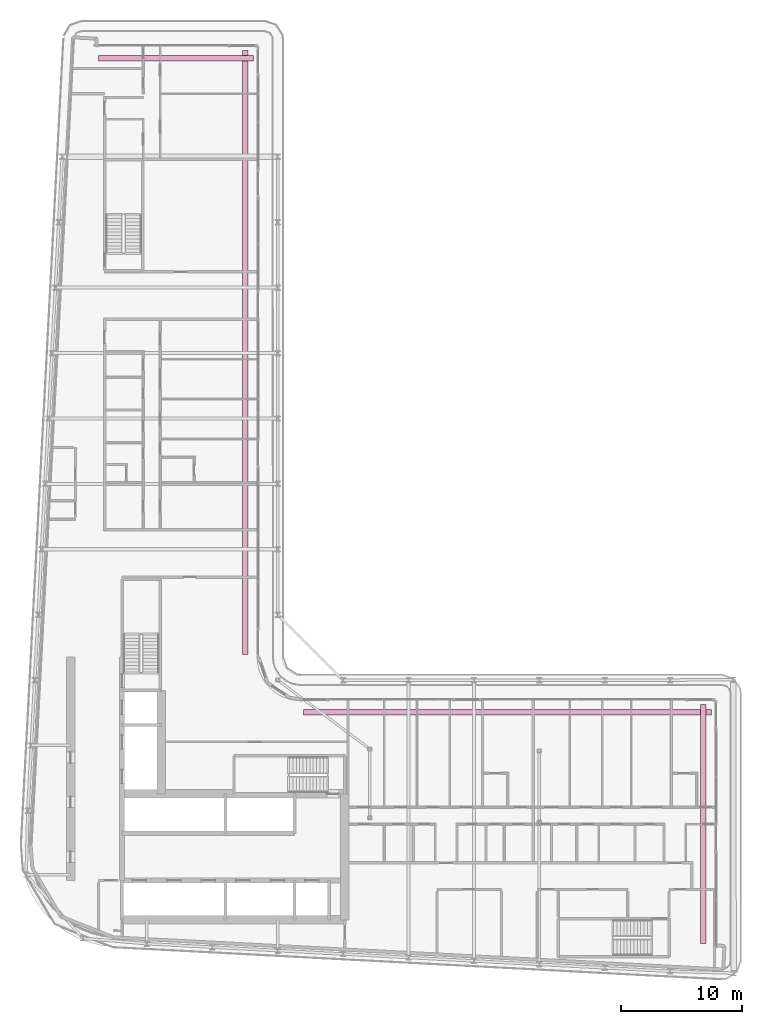
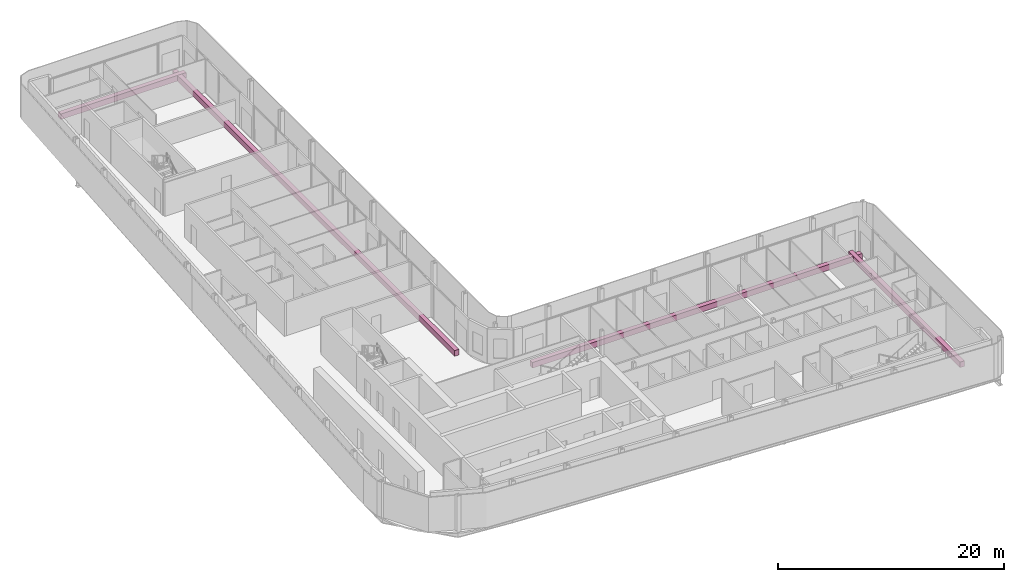
# One storey, part 23 of 23: 4 furniture elements.
"""IFC4 building model written with IfcOpenShell, lengths in metres."""

from ifc_helpers import new_model, si_unit, direction, frame, origin, origin_2d, place, context, subcontext, project, spatial, rectangle, extrude, material, type_object, element, save


model = new_model("IFC4")

# Units and contexts
model_context = context("Model", 3, precision=1e-05, world=origin(), true_north=direction((0.0, 1.0)))
body_context = subcontext(model_context, "Body", "Model", "MODEL_VIEW")
ifc_project = project(units=[si_unit("LENGTHUNIT", "METRE"), si_unit("AREAUNIT", "SQUARE_METRE"), si_unit("VOLUMEUNIT", "CUBIC_METRE"), si_unit("PLANEANGLEUNIT", "RADIAN"), si_unit("MASSUNIT", "GRAM", prefix="KILO")], contexts=[model_context])

# Site, building, storey
site_placement = place(None, origin())
site = spatial("IfcSite", under=ifc_project, at=site_placement, CompositionType="ELEMENT")
building_placement = place(site_placement, origin())
building = spatial("IfcBuilding", under=site, at=building_placement, Name="Kheshtan School and Residences Tower", CompositionType="ELEMENT")
storey_placement = place(building_placement, frame((0.0, 0.0, 239.60009765625)))
storey = spatial("IfcBuildingStorey", under=building, at=storey_placement, Name="L56", CompositionType="ELEMENT", Elevation=239.60009765625)

# Furniture
ifc_material = material(Name="Precast concrete C30/37 in terracotta finish", Category="masonry")
furniture_type = type_object("IfcFurnitureType", Name="Planter trough", AssemblyPlace="NOTDEFINED", PredefinedType="USERDEFINED", material=ifc_material)
furniture_1_placement = place(storey_placement, frame((39.196044921875, 96.925048828125, -0.000244140625), z_axis=(0.0, 0.0, 1.0), x_axis=(1.0, 0.0, 0.0)))
element("IfcFurniture", 1, at=furniture_1_placement, inside=storey, type_object=furniture_type, Name="Planter L56", ObjectType="PLANTER", PredefinedType="USERDEFINED", context=body_context, shape_type="SweptSolid", body=[
    extrude(rectangle(XDim=12.80810546875, YDim=0.449951171875, at=origin_2d()), origin(), (0.0, 0.0, 1.0), 0.60009765625),
])
furniture_2_placement = place(storey_placement, frame((44.925048828125, 72.6650390625, -0.000244140625), z_axis=(0.0, 0.0, 1.0), x_axis=(0.0, -1.0, 0.0)))
element("IfcFurniture", 2, at=furniture_2_placement, inside=storey, type_object=furniture_type, Name="Planter L56", ObjectType="PLANTER", PredefinedType="USERDEFINED", context=body_context, shape_type="SweptSolid", body=[
    extrude(rectangle(XDim=49.8701171875, YDim=0.449951171875, at=origin_2d()), origin(), (0.0, 0.0, 1.0), 0.60009765625),
])
furniture_3_placement = place(storey_placement, frame((66.56494140625, 42.925048828125, -0.000244140625), z_axis=(0.0, 0.0, 1.0), x_axis=(1.0, 0.0, 0.0)))
element("IfcFurniture", 3, at=furniture_3_placement, inside=storey, type_object=furniture_type, Name="Planter L56", ObjectType="PLANTER", PredefinedType="USERDEFINED", context=body_context, shape_type="SweptSolid", body=[
    extrude(rectangle(XDim=33.669921875, YDim=0.449951171875, at=origin_2d()), origin(), (0.0, 0.0, 1.0), 0.60009765625),
])
furniture_4_placement = place(storey_placement, frame((82.72509765625, 33.73291015625, -0.000244140625), z_axis=(0.0, 0.0, 1.0), x_axis=(0.0, -1.0, 0.0)))
element("IfcFurniture", 4, at=furniture_4_placement, inside=storey, type_object=furniture_type, Name="Planter L56", ObjectType="PLANTER", PredefinedType="USERDEFINED", context=body_context, shape_type="SweptSolid", body=[
    extrude(rectangle(XDim=19.73291015625, YDim=0.449951171875, at=origin_2d()), origin(), (0.0, 0.0, 1.0), 0.60009765625),
])

save(model, "model.ifc")
